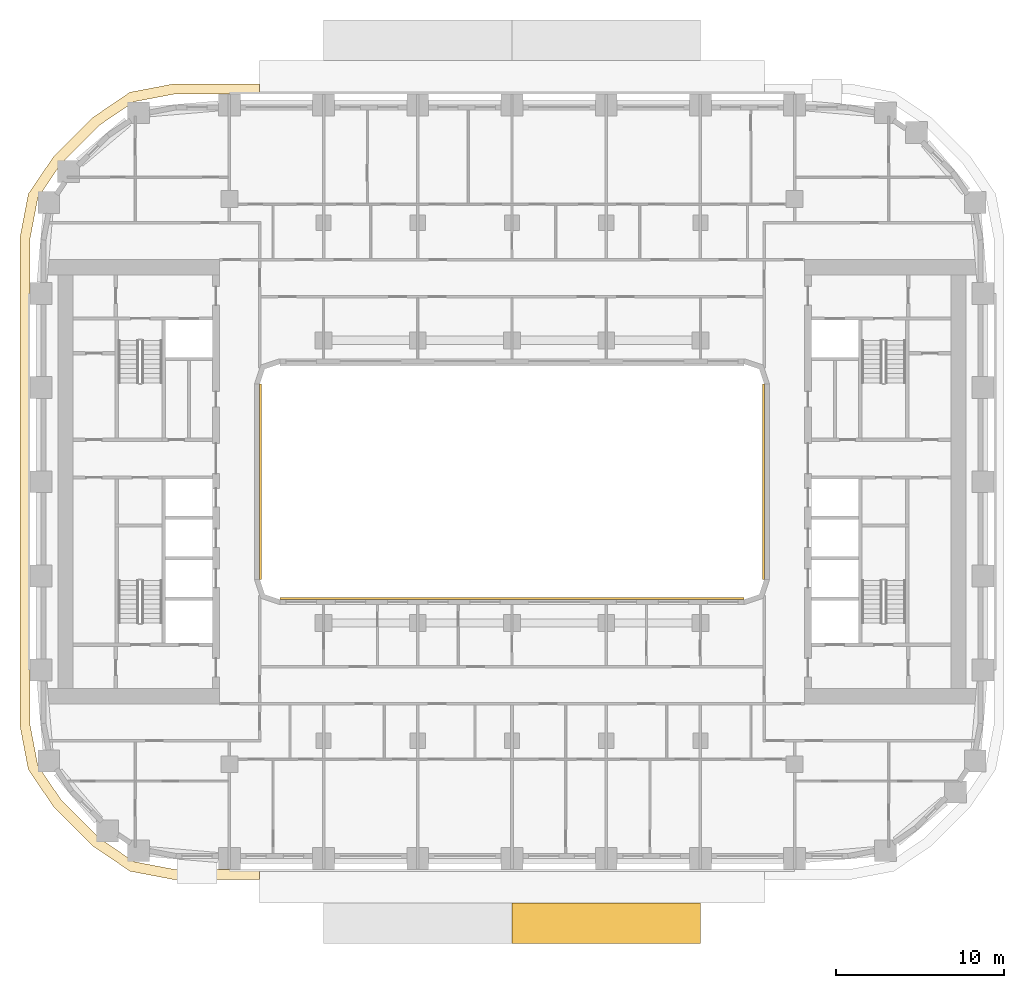
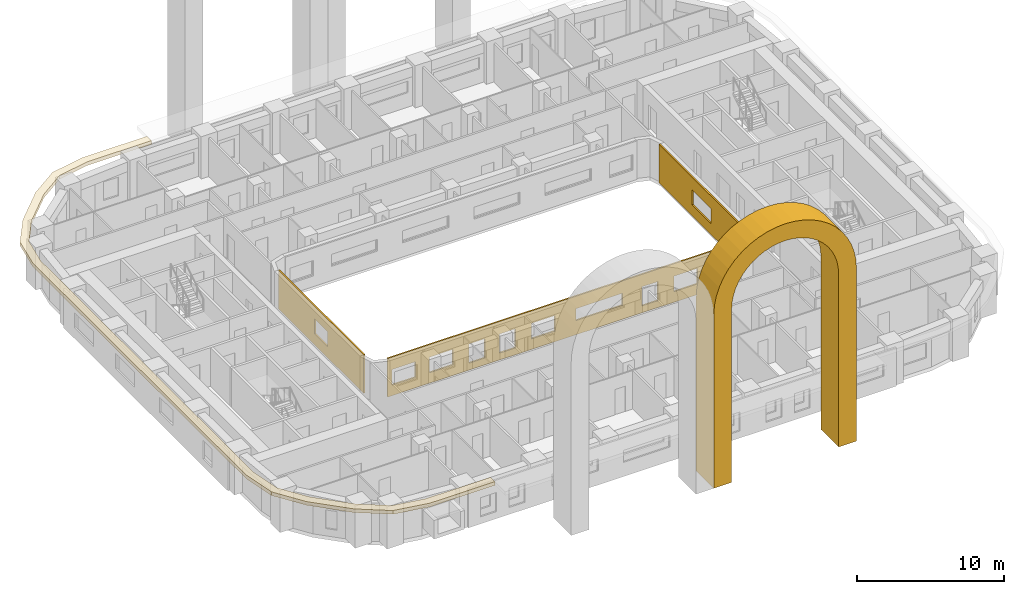
# One storey, part 14 of 19: 5 coverings.
"""IFC4 building model written with IfcOpenShell, lengths in metres."""

from ifc_helpers import new_model, si_unit, direction, frame, origin, place, context, subcontext, project, spatial, polyline, outline, extrude, material, layer, layer_set, type_object, element, save


model = new_model("IFC4")

# Units and contexts
model_context = context("Model", 3, precision=1e-05, world=origin(), true_north=direction((0.0, 1.0)))
body_context = subcontext(model_context, "Body", "Model", "MODEL_VIEW")
ifc_project = project(units=[si_unit("LENGTHUNIT", "METRE"), si_unit("AREAUNIT", "SQUARE_METRE"), si_unit("VOLUMEUNIT", "CUBIC_METRE"), si_unit("PLANEANGLEUNIT", "RADIAN"), si_unit("MASSUNIT", "GRAM", prefix="KILO")], contexts=[model_context])

# Site, building, storey
site_placement = place(None, origin())
site = spatial("IfcSite", under=ifc_project, at=site_placement, CompositionType="ELEMENT")
building_placement = place(site_placement, origin())
building = spatial("IfcBuilding", under=site, at=building_placement, Name="Kiln Ring Residences", CompositionType="ELEMENT")
storey_placement = place(building_placement, frame((0.0, 0.0, 104.300048828125)))
storey = spatial("IfcBuildingStorey", under=building, at=storey_placement, Name="L26", CompositionType="ELEMENT", Elevation=104.300048828125)

# Coverings
ifc_material_1 = material(Name="Brick masonry, dark clay brick", Category="masonry")
ifc_layer_1 = layer(ifc_material_1, 1.39990234375)
ifc_layer_set_1 = layer_set([ifc_layer_1], Name="ARCH SURROUND 2400")
covering_type_1 = type_object("IfcCoveringType", Name="ARCH SURROUND 2400", PredefinedType="CLADDING", material=ifc_layer_set_1)
covering_1_placement = place(storey_placement, frame((11.199951171875, -26.25, 0.0), z_axis=(0.0, 0.0, 1.0), x_axis=(-1.0, 0.0, 0.0)))
element("IfcCovering", 1, at=covering_1_placement, inside=storey, type_object=covering_type_1, Name="ARCH SURROUND Z2 S2.2", PredefinedType="CLADDING", context=body_context, shape_type="SweptSolid", body=[
    extrude(outline(polyline([(11.199951171875, 0.0), (11.199951171875, 14.39990234375), (11.152099609375, 15.130859375), (11.00927734375, 15.849365234375), (10.773681640625, 16.54296875), (10.44970703125, 17.199951171875), (10.042724609375, 17.80908203125), (9.559814453125, 18.35986328125), (9.009033203125, 18.8427734375), (8.39990234375, 19.249755859375), (7.742919921875, 19.57373046875), (7.04931640625, 19.80908203125), (6.330810546875, 19.9521484375), (5.60009765625, 20.0), (4.869140625, 19.9521484375), (4.150634765625, 19.80908203125), (3.45703125, 19.57373046875), (2.800048828125, 19.249755859375), (2.19091796875, 18.8427734375), (1.64013671875, 18.35986328125), (1.1572265625, 17.80908203125), (0.750244140625, 17.199951171875), (0.42626953125, 16.54296875), (0.19091796875, 15.849365234375), (0.0478515625, 15.130859375), (0.0, 14.39990234375), (0.0, 0.0), (1.39990234375, 0.0), (1.39990234375, 14.39990234375), (1.435791015625, 14.9482421875), (1.543212890625, 15.487060546875), (1.7197265625, 16.00732421875), (1.962646484375, 16.5), (2.267822265625, 16.956787109375), (2.630126953125, 17.369873046875), (3.043212890625, 17.73193359375), (3.5, 18.037353515625), (3.99267578125, 18.2802734375), (4.512939453125, 18.456787109375), (5.0517578125, 18.56396484375), (5.60009765625, 18.599853515625), (6.148193359375, 18.56396484375), (6.68701171875, 18.456787109375), (7.207275390625, 18.2802734375), (7.699951171875, 18.037353515625), (8.15673828125, 17.73193359375), (8.56982421875, 17.369873046875), (8.93212890625, 16.956787109375), (9.2373046875, 16.5), (9.480224609375, 16.00732421875), (9.656982421875, 15.487060546875), (9.76416015625, 14.9482421875), (9.800048828125, 14.39990234375), (9.800048828125, 0.0), (11.199951171875, 0.0)])), frame((0.0, 1.199951171875, 0.0), z_axis=(0.0, -1.0, 0.0), x_axis=(1.0, 0.0, 0.0)), (0.0, 0.0, 1.0), 2.39990234375),
])
ifc_material_2 = material(Name="Brick masonry, dark clay brick", Category="masonry")
ifc_layer_2 = layer(ifc_material_2, 0.1201171875)
ifc_layer_set_2 = layer_set([ifc_layer_2], Name="RAINSCREEN PANEL 120")
covering_type_2 = type_object("IfcCoveringType", Name="RAINSCREEN PANEL 120", PredefinedType="CLADDING", material=ifc_layer_set_2)
covering_2_placement = place(storey_placement, frame((-14.93994140625, -5.800048828125, 0.0), z_axis=(0.0, 0.0, 1.0), x_axis=(0.0, 1.0, 0.0)))
element("IfcCovering", 2, at=covering_2_placement, inside=storey, type_object=covering_type_2, Name="RAINSCREEN L26", PredefinedType="CLADDING", context=body_context, shape_type="SweptSolid", body=[
    extrude(outline(polyline([(0.0, 0.0), (11.60009765625, 0.0), (11.60009765625, 3.199951171875), (0.0, 3.199951171875), (0.0, 0.0)]), holes=[polyline([(4.89990234375, 2.14990234375), (4.89990234375, 0.89990234375), (6.699951171875, 0.89990234375), (6.699951171875, 2.14990234375), (4.89990234375, 2.14990234375)])]), frame((0.0, 0.06005859375, 0.0), z_axis=(0.0, -1.0, 0.0), x_axis=(1.0, 0.0, 0.0)), (0.0, 0.0, 1.0), 0.1201171875),
])
covering_3_placement = place(storey_placement, frame((14.93994140625, 5.800048828125, 0.0), z_axis=(0.0, 0.0, 1.0), x_axis=(0.0, -1.0, 0.0)))
element("IfcCovering", 3, at=covering_3_placement, inside=storey, type_object=covering_type_2, Name="RAINSCREEN L26", PredefinedType="CLADDING", context=body_context, shape_type="SweptSolid", body=[
    extrude(outline(polyline([(0.0, 0.0), (11.60009765625, 0.0), (11.60009765625, 3.199951171875), (0.0, 3.199951171875), (0.0, 0.0)]), holes=[polyline([(4.5, 2.14990234375), (4.5, 0.89990234375), (7.10009765625, 0.89990234375), (7.10009765625, 2.14990234375), (4.5, 2.14990234375)])]), frame((0.0, 0.06005859375, 0.0), z_axis=(0.0, -1.0, 0.0), x_axis=(1.0, 0.0, 0.0)), (0.0, 0.0, 1.0), 0.1201171875),
])
covering_4_placement = place(storey_placement, frame((13.800048828125, -6.93994140625, 0.0), z_axis=(0.0, 0.0, 1.0), x_axis=(-1.0, 0.0, 0.0)))
element("IfcCovering", 4, at=covering_4_placement, inside=storey, type_object=covering_type_2, Name="RAINSCREEN L26", PredefinedType="CLADDING", context=body_context, shape_type="SweptSolid", body=[
    extrude(outline(polyline([(0.0, 0.0), (27.60009765625, 0.0), (27.60009765625, 3.199951171875), (0.0, 3.199951171875), (0.0, 0.0)]), holes=[polyline([(6.3798828125, 0.579833984375), (7.6201171875, 0.579833984375), (7.6201171875, 2.169921875), (6.3798828125, 2.169921875), (6.3798828125, 0.579833984375)]), polyline([(17.580078125, 0.579833984375), (18.820068359375, 0.579833984375), (18.820068359375, 2.169921875), (17.580078125, 2.169921875), (17.580078125, 0.579833984375)]), polyline([(19.97998046875, 0.579833984375), (21.219970703125, 0.579833984375), (21.219970703125, 2.169921875), (19.97998046875, 2.169921875), (19.97998046875, 0.579833984375)]), polyline([(0.342529296875, 0.8798828125), (2.1826171875, 0.8798828125), (2.1826171875, 2.169921875), (0.342529296875, 2.169921875), (0.342529296875, 0.8798828125)]), polyline([(3.280029296875, 0.8798828125), (5.1201171875, 0.8798828125), (5.1201171875, 2.169921875), (3.280029296875, 2.169921875), (3.280029296875, 0.8798828125)]), polyline([(14.47998046875, 0.8798828125), (16.320068359375, 0.8798828125), (16.320068359375, 2.169921875), (14.47998046875, 2.169921875), (14.47998046875, 0.8798828125)]), polyline([(22.47998046875, 0.8798828125), (24.320068359375, 0.8798828125), (24.320068359375, 2.169921875), (22.47998046875, 2.169921875), (22.47998046875, 0.8798828125)]), polyline([(25.41748046875, 2.169921875), (25.41748046875, 0.8798828125), (27.257568359375, 0.8798828125), (27.257568359375, 2.169921875), (25.41748046875, 2.169921875)]), polyline([(9.179931640625, 2.169921875), (9.179931640625, 1.179931640625), (12.820068359375, 1.179931640625), (12.820068359375, 2.169921875), (9.179931640625, 2.169921875)])]), frame((0.0, 0.06005859375, 0.0), z_axis=(0.0, -1.0, 0.0), x_axis=(1.0, 0.0, 0.0)), (0.0, 0.0, 1.0), 0.1201171875),
])
ifc_material_3 = material(Name="Black powder-coated steel", Category="steel")
ifc_layer_3 = layer(ifc_material_3, 0.300048828125)
ifc_layer_set_3 = layer_set([ifc_layer_3], Name="SUNSHADE FIN 600")
covering_type_3 = type_object("IfcCoveringType", Name="SUNSHADE FIN 600", PredefinedType="CLADDING", material=ifc_layer_set_3)
covering_5_placement = place(storey_placement, frame((0.0, 0.0, 3.199951171875)))
element("IfcCovering", 5, at=covering_5_placement, inside=storey, type_object=covering_type_3, Name="SUNSHADE FIN L26", PredefinedType="CLADDING", context=body_context, shape_type="SweptSolid", body=[
    extrude(outline(polyline([(-29.25, -14.51806640625), (-28.755126953125, -17.11279296875), (-27.2705078125, -19.29736328125), (-24.8974609375, -21.67041015625), (-22.712890625, -23.155029296875), (-20.1181640625, -23.64990234375), (-15.0, -23.64990234375), (-15.0, -23.050048828125), (-20.061279296875, -23.050048828125), (-22.478271484375, -22.589111328125), (-24.51318359375, -21.2060546875), (-26.805908203125, -18.9130859375), (-28.18896484375, -16.87841796875), (-28.64990234375, -14.46142578125), (-28.64990234375, 14.46142578125), (-28.18896484375, 16.87841796875), (-26.805908203125, 18.9130859375), (-24.51318359375, 21.2060546875), (-22.478271484375, 22.589111328125), (-20.061279296875, 23.050048828125), (-15.0, 23.050048828125), (-15.0, 23.64990234375), (-20.1181640625, 23.64990234375), (-22.712890625, 23.155029296875), (-24.8974609375, 21.67041015625), (-27.2705078125, 19.29736328125), (-28.755126953125, 17.11279296875), (-29.25, 14.51806640625), (-29.25, -14.51806640625)])), origin(), (0.0, 0.0, 1.0), 0.300048828125),
])

save(model, "model.ifc")
